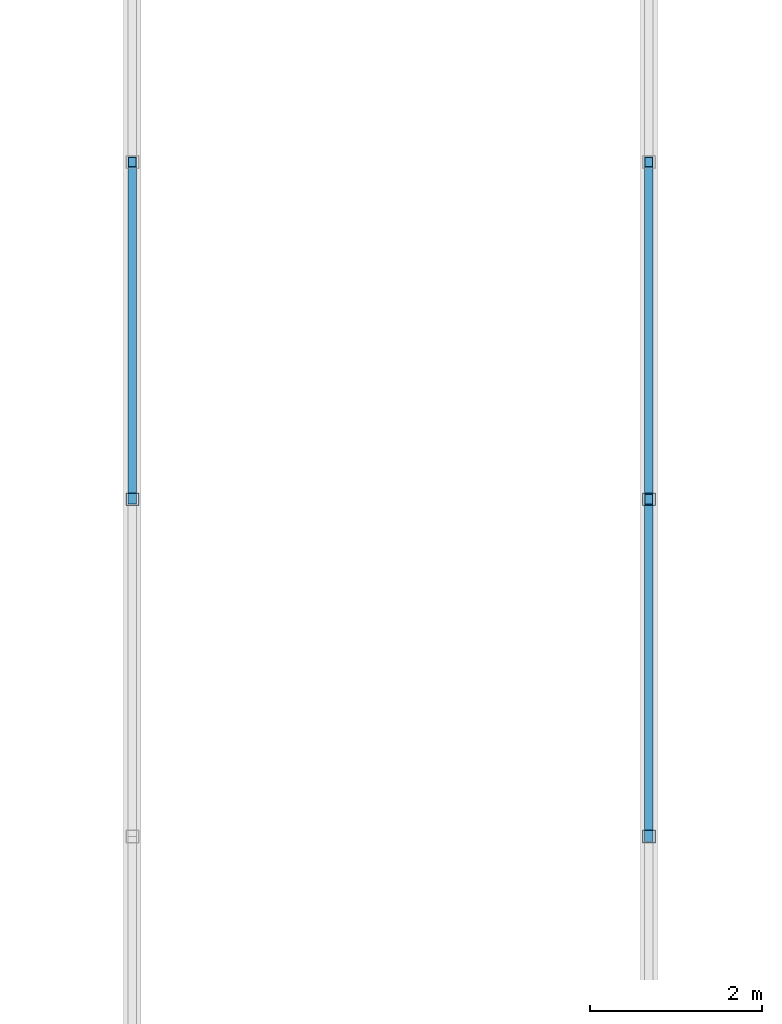
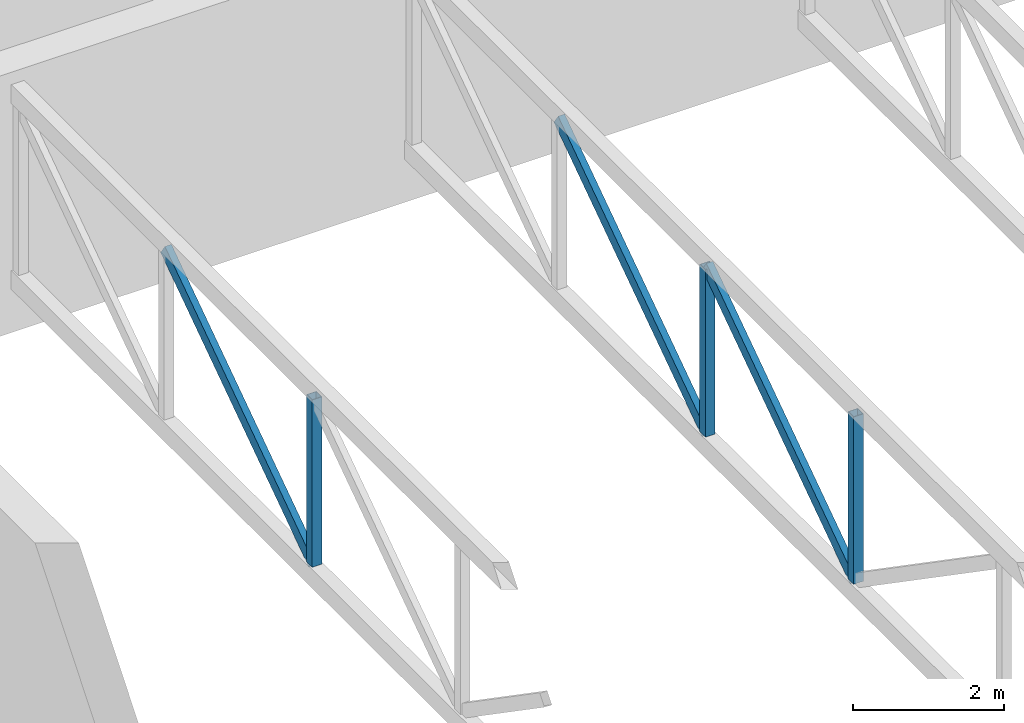
# One storey, part 12 of 47: 6 members.
"""IFC4 building model written with IfcOpenShell, lengths in metres."""

from ifc_helpers import new_model, si_unit, direction, frame, origin, origin_2d, place, context, subcontext, project, spatial, hollow_rectangle, extrude, material, material_profile, profile_set, type_object, element, save


model = new_model("IFC4")

# Units and contexts
model_context = context("Model", 3, precision=1e-05, world=origin(), true_north=direction((0.0, 1.0)))
body_context = subcontext(model_context, "Body", "Model", "MODEL_VIEW")
ifc_project = project(units=[si_unit("LENGTHUNIT", "METRE"), si_unit("AREAUNIT", "SQUARE_METRE"), si_unit("VOLUMEUNIT", "CUBIC_METRE"), si_unit("PLANEANGLEUNIT", "RADIAN"), si_unit("MASSUNIT", "GRAM", prefix="KILO")], contexts=[model_context])

# Site, building, storey
site_placement = place(None, origin())
site = spatial("IfcSite", under=ifc_project, at=site_placement, CompositionType="ELEMENT")
building_placement = place(site_placement, origin())
building = spatial("IfcBuilding", under=site, at=building_placement, Name="Nakaniwa Court", CompositionType="ELEMENT")
storey_placement = place(building_placement, frame((0.0, 0.0, 15.60009765625)))
storey = spatial("IfcBuildingStorey", under=building, at=storey_placement, Name="L03", CompositionType="ELEMENT", Elevation=15.60009765625)

# Members
ifc_material = material(Name="Steel AS/NZS 1163 Grade C350L0", Category="steel")
ifc_material_profile_1 = material_profile(ifc_material, hollow_rectangle(XDim=0.10009765625, YDim=0.199951171875, WallThickness=0.006103515625, at=origin_2d()), Name="RHS 200x100x6")
ifc_profile_set_1 = profile_set([ifc_material_profile_1], Name="Steel AS/NZS 1163 Grade C350L0")
member_type_1 = type_object("IfcMemberType", Name="Roof truss diagonal RHS 200x100x6", PredefinedType="BRACE", material=ifc_profile_set_1)
for number, where, z_axis, x_axis, name in (
    (1, (175.0, 83.916748046875, 1.0), (0.0, 0.82331946975, 0.567578233136), (-1.0, 0.0, 0.0), "Roof truss A1 diagonal 5"),
    (2, (181.0, 80.0, 1.0), (0.0, 0.823336002071, 0.567554250882), (-1.0, 0.0, 0.0), "Roof truss A2 diagonal 4"),
    (3, (181.0, 83.916748046875, 1.0), (0.0, 0.82331946975, 0.567578233136), (-1.0, 0.0, 0.0), "Roof truss A2 diagonal 5"),
):
    element("IfcMember", number, at=place(storey_placement, frame(where, z_axis=z_axis, x_axis=x_axis)), inside=storey, type_object=member_type_1, Name=name, PredefinedType="BRACE", context=body_context, shape_type="SweptSolid", body=[
        extrude(hollow_rectangle(XDim=0.10009765625, YDim=0.199951171875, WallThickness=0.006103515625, at=origin_2d()), origin(), (0.0, 0.0, 1.0), 4.757080078125),
    ])
ifc_material_profile_2 = material_profile(ifc_material, hollow_rectangle(XDim=0.14990234375, YDim=0.14990234375, WallThickness=0.006103515625, at=origin_2d()), Name="SHS 150x150x6")
ifc_profile_set_2 = profile_set([ifc_material_profile_2], Name="Steel AS/NZS 1163 Grade C350L0")
member_type_2 = type_object("IfcMemberType", Name="Roof truss post SHS 150x150x6", PredefinedType="STRUT", material=ifc_profile_set_2)
for number, where, z_axis, x_axis, name in (
    (4, (175.0, 83.916748046875, 1.0), (0.0, 0.0, 1.0), (1.0, 0.0, 0.0), "Roof truss A1 post 5"),
    (5, (181.0, 80.0, 1.0), (0.0, 0.0, 1.0), (1.0, 0.0, 0.0), "Roof truss A2 post 4"),
    (6, (181.0, 83.916748046875, 1.0), (0.0, 0.0, 1.0), (1.0, 0.0, 0.0), "Roof truss A2 post 5"),
):
    element("IfcMember", number, at=place(storey_placement, frame(where, z_axis=z_axis, x_axis=x_axis)), inside=storey, type_object=member_type_2, Name=name, PredefinedType="STRUT", context=body_context, shape_type="SweptSolid", body=[
        extrude(hollow_rectangle(XDim=0.14990234375, YDim=0.14990234375, WallThickness=0.006103515625, at=origin_2d()), origin(), (0.0, 0.0, 1.0), 2.699951171875),
    ])

save(model, "model.ifc")
